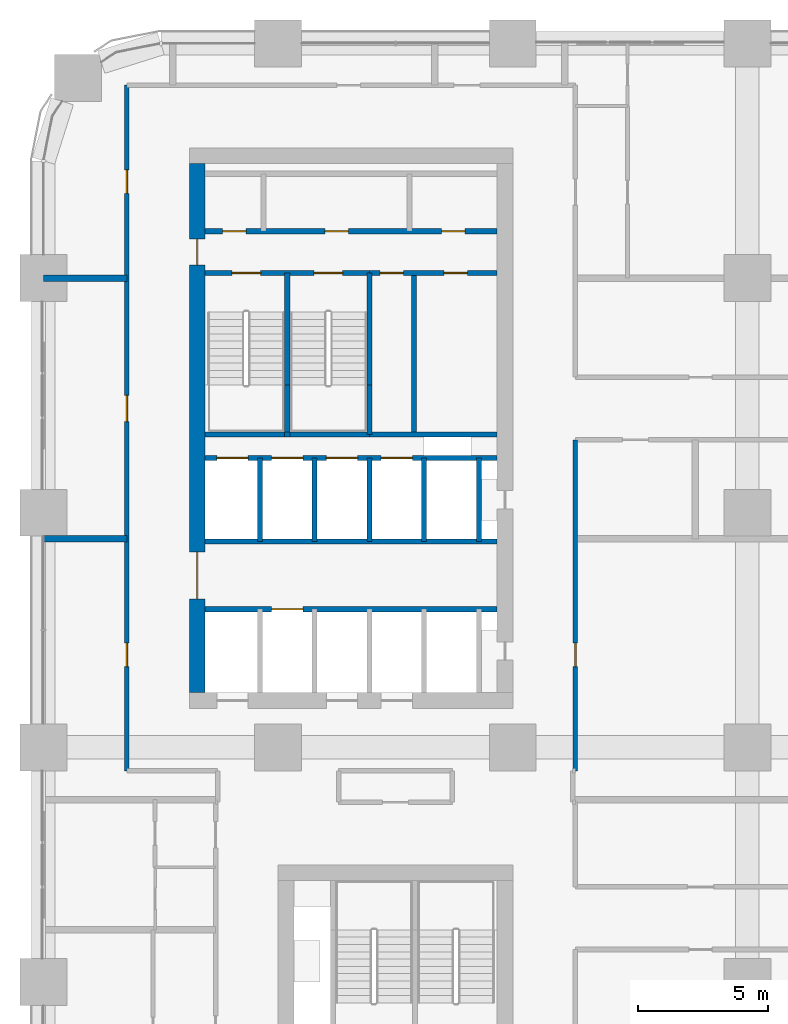
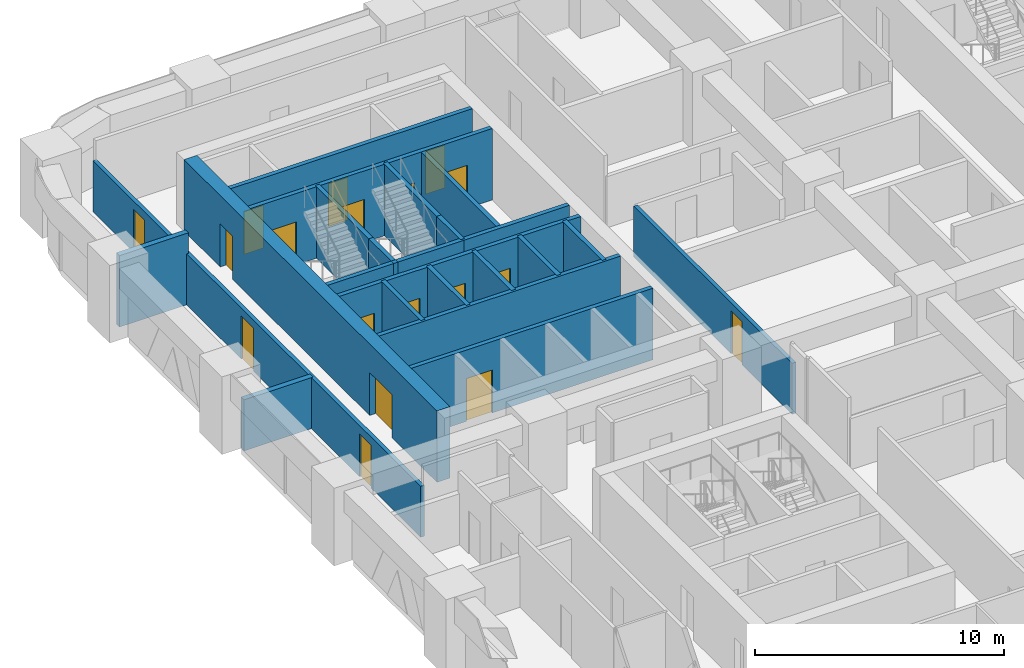
# One storey, part 16 of 21: 25 walls, 18 doors, 18 openings.
"""IFC4 building model written with IfcOpenShell, lengths in metres."""

from ifc_helpers import new_model, si_unit, direction, frame, frame_2d, origin, place, context, subcontext, project, spatial, rectangle, extrude, material, layer, layer_set, type_object, element, fill, save


model = new_model("IFC4")

# Units and contexts
model_context = context("Model", 3, precision=1e-05, world=origin(), true_north=direction((0.0, 1.0)))
body_context = subcontext(model_context, "Body", "Model", "MODEL_VIEW")
ifc_project = project(units=[si_unit("LENGTHUNIT", "METRE"), si_unit("AREAUNIT", "SQUARE_METRE"), si_unit("VOLUMEUNIT", "CUBIC_METRE"), si_unit("PLANEANGLEUNIT", "RADIAN"), si_unit("MASSUNIT", "GRAM", prefix="KILO")], contexts=[model_context])

# Site, building, storey
site_placement = place(None, origin())
site = spatial("IfcSite", under=ifc_project, at=site_placement, CompositionType="ELEMENT")
building_placement = place(site_placement, origin())
building = spatial("IfcBuilding", under=site, at=building_placement, Name="Tessera Arch", CompositionType="ELEMENT")
storey_placement = place(building_placement, frame((0.0, 0.0, 50.0)))
storey = spatial("IfcBuildingStorey", under=building, at=storey_placement, Name="L10", CompositionType="ELEMENT", Elevation=50.0)

# Wall
ifc_material_1 = material(Name="Gypsum board on steel stud", Category="steel")
ifc_layer_1 = layer(ifc_material_1, 0.125)
ifc_layer_set_1 = layer_set([ifc_layer_1], Name="Core partition 125 EI 60")
wall_type_1 = type_object("IfcWallType", Name="Core partition 125 EI 60", PredefinedType="PARTITIONING", material=ifc_layer_set_1)
wall_1_placement = place(storey_placement, frame((14.215087890625, 39.0, 0.0), z_axis=(0.0, 0.0, 1.0), x_axis=(0.0, 1.0, 0.0)))
element("IfcWall", 1, at=wall_1_placement, inside=storey, type_object=wall_type_1, Name="L10 C2 partition wall 13", PredefinedType="PARTITIONING", context=body_context, shape_type="SweptSolid", body=[
    extrude(rectangle(XDim=6.199951171875, YDim=0.199951171875, at=frame_2d((3.10009765625, 0.0))), origin(), (0.0, 0.0, 1.0), 3.5),
])

# Wall, openings, doors
wall_2_placement = place(storey_placement, frame((12.5, 45.199951171875, 0.0), z_axis=(0.0, 0.0, 1.0), x_axis=(1.0, 0.0, 0.0)))
wall_2 = element("IfcWall", 2, at=wall_2_placement, inside=storey, type_object=wall_type_1, Name="L10 C2 partition wall 25", PredefinedType="PARTITIONING", context=body_context, shape_type="SweptSolid", body=[
    extrude(rectangle(XDim=4.89990234375, YDim=0.199951171875, at=frame_2d((2.449951171875, 0.0))), origin(), (0.0, 0.0, 1.0), 3.5),
])
opening_1_placement = place(wall_2_placement, frame((0.407470703125, 0.0, 0.0)))
opening_1 = element("IfcOpeningElement", 3, at=opening_1_placement, cuts=wall_2, Name="Opening L10-C31", PredefinedType="OPENING", context=body_context, shape_type="SweptSolid", body=[
    extrude(rectangle(XDim=0.89990234375, YDim=2.10009765625, at=frame_2d((0.449951171875, 1.050048828125))), frame((0.0, 0.10986328125, 0.0), z_axis=(0.0, -1.0, 0.0), x_axis=(1.0, 0.0, 0.0)), (0.0, 0.0, 1.0), 0.219970703125),
])
opening_2_placement = place(wall_2_placement, frame((2.857421875, 0.0, 0.0)))
opening_2 = element("IfcOpeningElement", 4, at=opening_2_placement, cuts=wall_2, Name="Opening L10-C32", PredefinedType="OPENING", context=body_context, shape_type="SweptSolid", body=[
    extrude(rectangle(XDim=0.89990234375, YDim=2.10009765625, at=frame_2d((0.449951171875, 1.050048828125))), frame((0.0, 0.10986328125, 0.0), z_axis=(0.0, -1.0, 0.0), x_axis=(1.0, 0.0, 0.0)), (0.0, 0.0, 1.0), 0.219970703125),
])
ifc_material_2 = material(Name="Steel door leaf", Category="steel")
door_type_1 = type_object("IfcDoorType", Name="Store door FD30S 900 x 2100", OperationType="SINGLE_SWING_LEFT", PredefinedType="DOOR", material=ifc_material_2)
door_1_placement = place(opening_1_placement, origin())
door_1 = element("IfcDoor", 5, at=door_1_placement, inside=storey, type_object=door_type_1, Name="L10 C2 door 18 C31 type D09", OperationType="SINGLE_SWING_LEFT", OverallHeight=2.10009765625, OverallWidth=0.89990234375, PredefinedType="DOOR", context=body_context, shape_type="SweptSolid", body=[
    extrude(rectangle(XDim=0.89990234375, YDim=2.10009765625, at=frame_2d((0.449951171875, 1.050048828125))), frame((0.0, 0.02490234375, 0.0), z_axis=(0.0, -1.0, 0.0), x_axis=(1.0, 0.0, 0.0)), (0.0, 0.0, 1.0), 0.050048828125),
])
fill(opening_1, door_1)
door_2_placement = place(opening_2_placement, origin())
door_2 = element("IfcDoor", 6, at=door_2_placement, inside=storey, type_object=door_type_1, Name="L10 C2 door 19 C32 type D09", OperationType="SINGLE_SWING_RIGHT", OverallHeight=2.10009765625, OverallWidth=0.89990234375, PredefinedType="DOOR", context=body_context, shape_type="SweptSolid", body=[
    extrude(rectangle(XDim=0.89990234375, YDim=2.10009765625, at=frame_2d((0.449951171875, 1.050048828125))), frame((0.0, 0.02490234375, 0.0), z_axis=(0.0, -1.0, 0.0), x_axis=(1.0, 0.0, 0.0)), (0.0, 0.0, 1.0), 0.050048828125),
])
fill(opening_2, door_2)

wall_3_placement = place(storey_placement, frame((6.199951171875, 46.800048828125, 0.0), z_axis=(0.0, 0.0, 1.0), x_axis=(1.0, 0.0, 0.0)))
wall_3 = element("IfcWall", 7, at=wall_3_placement, inside=storey, type_object=wall_type_1, Name="L10 C2 partition wall 27", PredefinedType="PARTITIONING", context=body_context, shape_type="SweptSolid", body=[
    extrude(rectangle(XDim=11.199951171875, YDim=0.199951171875, at=frame_2d((5.60009765625, 0.0))), origin(), (0.0, 0.0, 1.0), 3.5),
])
opening_3_placement = place(wall_3_placement, frame((0.669921875, 0.0, 0.0)))
opening_3 = element("IfcOpeningElement", 8, at=opening_3_placement, cuts=wall_3, Name="Opening L10-C28", PredefinedType="OPENING", context=body_context, shape_type="SweptSolid", body=[
    extrude(rectangle(XDim=0.89990234375, YDim=2.10009765625, at=frame_2d((0.449951171875, 1.050048828125))), frame((0.0, 0.10986328125, 0.0), z_axis=(0.0, -1.0, 0.0), x_axis=(1.0, 0.0, 0.0)), (0.0, 0.0, 1.0), 0.219970703125),
])
opening_4_placement = place(wall_3_placement, frame((4.590087890625, 0.0, 0.0)))
opening_4 = element("IfcOpeningElement", 9, at=opening_4_placement, cuts=wall_3, Name="Opening L10-C29", PredefinedType="OPENING", context=body_context, shape_type="SweptSolid", body=[
    extrude(rectangle(XDim=0.89990234375, YDim=2.10009765625, at=frame_2d((0.449951171875, 1.050048828125))), frame((0.0, 0.10986328125, 0.0), z_axis=(0.0, -1.0, 0.0), x_axis=(1.0, 0.0, 0.0)), (0.0, 0.0, 1.0), 0.219970703125),
])
opening_5_placement = place(wall_3_placement, frame((9.070068359375, 0.0, 0.0)))
opening_5 = element("IfcOpeningElement", 10, at=opening_5_placement, cuts=wall_3, Name="Opening L10-C30", PredefinedType="OPENING", context=body_context, shape_type="SweptSolid", body=[
    extrude(rectangle(XDim=0.89990234375, YDim=2.10009765625, at=frame_2d((0.449951171875, 1.050048828125))), frame((0.0, 0.10986328125, 0.0), z_axis=(0.0, -1.0, 0.0), x_axis=(1.0, 0.0, 0.0)), (0.0, 0.0, 1.0), 0.219970703125),
])
door_3_placement = place(opening_3_placement, origin())
door_3 = element("IfcDoor", 11, at=door_3_placement, inside=storey, type_object=door_type_1, Name="L10 C2 door 15 C28 type D09", OperationType="SINGLE_SWING_LEFT", OverallHeight=2.10009765625, OverallWidth=0.89990234375, PredefinedType="DOOR", context=body_context, shape_type="SweptSolid", body=[
    extrude(rectangle(XDim=0.89990234375, YDim=2.10009765625, at=frame_2d((0.449951171875, 1.050048828125))), frame((0.0, 0.02490234375, 0.0), z_axis=(0.0, -1.0, 0.0), x_axis=(1.0, 0.0, 0.0)), (0.0, 0.0, 1.0), 0.050048828125),
])
fill(opening_3, door_3)
door_4_placement = place(opening_4_placement, origin())
door_4 = element("IfcDoor", 12, at=door_4_placement, inside=storey, type_object=door_type_1, Name="L10 C2 door 16 C29 type D09", OperationType="SINGLE_SWING_LEFT", OverallHeight=2.10009765625, OverallWidth=0.89990234375, PredefinedType="DOOR", context=body_context, shape_type="SweptSolid", body=[
    extrude(rectangle(XDim=0.89990234375, YDim=2.10009765625, at=frame_2d((0.449951171875, 1.050048828125))), frame((0.0, 0.02490234375, 0.0), z_axis=(0.0, -1.0, 0.0), x_axis=(1.0, 0.0, 0.0)), (0.0, 0.0, 1.0), 0.050048828125),
])
fill(opening_4, door_4)
door_5_placement = place(opening_5_placement, origin())
door_5 = element("IfcDoor", 13, at=door_5_placement, inside=storey, type_object=door_type_1, Name="L10 C2 door 17 C30 type D09", OperationType="SINGLE_SWING_RIGHT", OverallHeight=2.10009765625, OverallWidth=0.89990234375, PredefinedType="DOOR", context=body_context, shape_type="SweptSolid", body=[
    extrude(rectangle(XDim=0.89990234375, YDim=2.10009765625, at=frame_2d((0.449951171875, 1.050048828125))), frame((0.0, 0.02490234375, 0.0), z_axis=(0.0, -1.0, 0.0), x_axis=(1.0, 0.0, 0.0)), (0.0, 0.0, 1.0), 0.050048828125),
])
fill(opening_5, door_5)

ifc_material_3 = material(Name="Concrete C70/85", Category="concrete")
ifc_layer_2 = layer(ifc_material_3, 0.60009765625)
ifc_layer_set_2 = layer_set([ifc_layer_2], Name="Core shell wall 600 C70-85")
wall_type_2 = type_object("IfcWallType", Name="Core shell wall 600 C70-85", PredefinedType="SHEAR", material=ifc_layer_set_2)
wall_4_placement = place(storey_placement, frame((5.89990234375, 29.10009765625, 0.0), z_axis=(0.0, 0.0, 1.0), x_axis=(0.0, 1.0, 0.0)))
wall_4 = element("IfcWall", 14, at=wall_4_placement, inside=storey, type_object=wall_type_2, Name="L10 C2 core wall W", PredefinedType="SHEAR", context=body_context, shape_type="SweptSolid", body=[
    extrude(rectangle(XDim=20.2998046875, YDim=0.60009765625, at=frame_2d((10.14990234375, 0.0))), origin(), (0.0, 0.0, 1.0), 3.5),
])
opening_6_placement = place(wall_4_placement, frame((3.60009765625, 0.0, 0.0)))
opening_6 = element("IfcOpeningElement", 15, at=opening_6_placement, cuts=wall_4, Name="Opening L10-C24", PredefinedType="OPENING", context=body_context, shape_type="SweptSolid", body=[
    extrude(rectangle(XDim=1.800048828125, YDim=2.10009765625, at=frame_2d((0.89990234375, 1.050048828125))), frame((0.0, 0.31005859375, 0.0), z_axis=(0.0, -1.0, 0.0), x_axis=(1.0, 0.0, 0.0)), (0.0, 0.0, 1.0), 0.6201171875),
])
opening_7_placement = place(wall_4_placement, frame((16.39990234375, 0.0, 0.0)))
opening_7 = element("IfcOpeningElement", 16, at=opening_7_placement, cuts=wall_4, Name="Opening L10-C27", PredefinedType="OPENING", context=body_context, shape_type="SweptSolid", body=[
    extrude(rectangle(XDim=1.0, YDim=2.10009765625, at=frame_2d((0.5, 1.050048828125))), frame((0.0, 0.31005859375, 0.0), z_axis=(0.0, -1.0, 0.0), x_axis=(1.0, 0.0, 0.0)), (0.0, 0.0, 1.0), 0.6201171875),
])
ifc_material_4 = material(Name="Steel door leaf", Category="steel")
door_type_2 = type_object("IfcDoorType", Name="Corridor door FD60 1000 x 2100", OperationType="SINGLE_SWING_LEFT", PredefinedType="DOOR", material=ifc_material_4)
door_6_placement = place(opening_7_placement, origin())
door_6 = element("IfcDoor", 17, at=door_6_placement, inside=storey, type_object=door_type_2, Name="L10 C2 door 14 C27 type D12", OperationType="SINGLE_SWING_RIGHT", OverallHeight=2.10009765625, OverallWidth=1.0, PredefinedType="DOOR", context=body_context, shape_type="SweptSolid", body=[
    extrude(rectangle(XDim=1.0, YDim=2.10009765625, at=frame_2d((0.5, 1.050048828125))), frame((0.0, 0.02490234375, 0.0), z_axis=(0.0, -1.0, 0.0), x_axis=(1.0, 0.0, 0.0)), (0.0, 0.0, 1.0), 0.050048828125),
])
fill(opening_7, door_6)
ifc_material_5 = material(Name="Glazed steel door leaf", Category="steel")
door_type_3 = type_object("IfcDoorType", Name="Lobby double door FD30S 1800 x 2100", OperationType="DOUBLE_DOOR_SINGLE_SWING", PredefinedType="DOOR", material=ifc_material_5)
door_7_placement = place(opening_6_placement, origin())
door_7 = element("IfcDoor", 18, at=door_7_placement, inside=storey, type_object=door_type_3, Name="L10 C2 door 11 C24 type D06", OperationType="DOUBLE_DOOR_SINGLE_SWING", OverallHeight=2.10009765625, OverallWidth=1.800048828125, PredefinedType="DOOR", context=body_context, shape_type="SweptSolid", body=[
    extrude(rectangle(XDim=1.800048828125, YDim=2.10009765625, at=frame_2d((0.89990234375, 1.050048828125))), frame((0.0, 0.02490234375, 0.0), z_axis=(0.0, -1.0, 0.0), x_axis=(1.0, 0.0, 0.0)), (0.0, 0.0, 1.0), 0.050048828125),
])
fill(opening_6, door_7)

ifc_material_6 = material(Name="Gypsum board on deep steel stud with mineral wool", Category="steel")
ifc_layer_3 = layer(ifc_material_6, 0.175048828125)
ifc_layer_set_3 = layer_set([ifc_layer_3], Name="Corridor wall 175 EI 60")
wall_type_3 = type_object("IfcWallType", Name="Corridor wall 175 EI 60", PredefinedType="PARTITIONING", material=ifc_layer_set_3)
wall_5_placement = place(storey_placement, frame((3.199951171875, 26.10009765625, 0.0), z_axis=(0.0, 0.0, 1.0), x_axis=(0.0, 1.0, 0.0)))
wall_5 = element("IfcWall", 19, at=wall_5_placement, inside=storey, type_object=wall_type_3, Name="L10 partition 21", PredefinedType="PARTITIONING", context=body_context, shape_type="SweptSolid", body=[
    extrude(rectangle(XDim=26.2998046875, YDim=0.175048828125, at=frame_2d((13.14990234375, 0.0))), origin(), (0.0, 0.0, 1.0), 2.5),
])
opening_8_placement = place(wall_5_placement, frame((4.0, 0.0, 0.0)))
opening_8 = element("IfcOpeningElement", 20, at=opening_8_placement, cuts=wall_5, Name="Opening L10-D025", PredefinedType="OPENING", context=body_context, shape_type="SweptSolid", body=[
    extrude(rectangle(XDim=0.89990234375, YDim=2.10009765625, at=frame_2d((0.449951171875, 1.050048828125))), frame((0.0, 0.097412109375, 0.0), z_axis=(0.0, -1.0, 0.0), x_axis=(1.0, 0.0, 0.0)), (0.0, 0.0, 1.0), 0.195068359375),
])
opening_9_placement = place(wall_5_placement, frame((13.39990234375, 0.0, 0.0)))
opening_9 = element("IfcOpeningElement", 21, at=opening_9_placement, cuts=wall_5, Name="Opening L10-D031", PredefinedType="OPENING", context=body_context, shape_type="SweptSolid", body=[
    extrude(rectangle(XDim=1.0, YDim=2.10009765625, at=frame_2d((0.5, 1.050048828125))), frame((0.0, 0.097412109375, 0.0), z_axis=(0.0, -1.0, 0.0), x_axis=(1.0, 0.0, 0.0)), (0.0, 0.0, 1.0), 0.195068359375),
])
opening_10_placement = place(wall_5_placement, frame((22.14990234375, 0.0, 0.0)))
opening_10 = element("IfcOpeningElement", 22, at=opening_10_placement, cuts=wall_5, Name="Opening L10-D035", PredefinedType="OPENING", context=body_context, shape_type="SweptSolid", body=[
    extrude(rectangle(XDim=0.89990234375, YDim=2.10009765625, at=frame_2d((0.449951171875, 1.050048828125))), frame((0.0, 0.097412109375, 0.0), z_axis=(0.0, -1.0, 0.0), x_axis=(1.0, 0.0, 0.0)), (0.0, 0.0, 1.0), 0.195068359375),
])
ifc_material_7 = material(Name="Fire-rated door leaf")
door_type_4 = type_object("IfcDoorType", Name="Entrance door FD30S 1000 x 2100", OperationType="SINGLE_SWING_LEFT", PredefinedType="DOOR", material=ifc_material_7)
door_8_placement = place(opening_9_placement, origin())
door_8 = element("IfcDoor", 23, at=door_8_placement, inside=storey, type_object=door_type_4, Name="L10 door D031 type D03", OperationType="SINGLE_SWING_LEFT", OverallHeight=2.10009765625, OverallWidth=1.0, PredefinedType="DOOR", context=body_context, shape_type="SweptSolid", body=[
    extrude(rectangle(XDim=1.0, YDim=2.10009765625, at=frame_2d((0.5, 1.050048828125))), frame((0.0, 0.02490234375, 0.0), z_axis=(0.0, -1.0, 0.0), x_axis=(1.0, 0.0, 0.0)), (0.0, 0.0, 1.0), 0.050048828125),
])
fill(opening_9, door_8)
ifc_material_8 = material(Name="Timber door leaf", Category="wood")
door_type_5 = type_object("IfcDoorType", Name="Room door 900 x 2100", OperationType="SINGLE_SWING_LEFT", PredefinedType="DOOR", material=ifc_material_8)
door_9_placement = place(opening_8_placement, origin())
door_9 = element("IfcDoor", 24, at=door_9_placement, inside=storey, type_object=door_type_5, Name="L10 door D025 type D01", OperationType="SINGLE_SWING_LEFT", OverallHeight=2.10009765625, OverallWidth=0.89990234375, PredefinedType="DOOR", context=body_context, shape_type="SweptSolid", body=[
    extrude(rectangle(XDim=0.89990234375, YDim=2.10009765625, at=frame_2d((0.449951171875, 1.050048828125))), frame((0.0, 0.02490234375, 0.0), z_axis=(0.0, -1.0, 0.0), x_axis=(1.0, 0.0, 0.0)), (0.0, 0.0, 1.0), 0.050048828125),
])
fill(opening_8, door_9)
door_10_placement = place(opening_10_placement, origin())
door_10 = element("IfcDoor", 25, at=door_10_placement, inside=storey, type_object=door_type_5, Name="L10 door D035 type D01", OperationType="SINGLE_SWING_LEFT", OverallHeight=2.10009765625, OverallWidth=0.89990234375, PredefinedType="DOOR", context=body_context, shape_type="SweptSolid", body=[
    extrude(rectangle(XDim=0.89990234375, YDim=2.10009765625, at=frame_2d((0.449951171875, 1.050048828125))), frame((0.0, 0.02490234375, 0.0), z_axis=(0.0, -1.0, 0.0), x_axis=(1.0, 0.0, 0.0)), (0.0, 0.0, 1.0), 0.050048828125),
])
fill(opening_10, door_10)

# Wall, opening, door
wall_6_placement = place(storey_placement, frame((20.39990234375, 26.10009765625, 0.0), z_axis=(0.0, 0.0, 1.0), x_axis=(0.0, 1.0, 0.0)))
wall_6 = element("IfcWall", 26, at=wall_6_placement, inside=storey, type_object=wall_type_3, Name="L10 partition 29", PredefinedType="PARTITIONING", context=body_context, shape_type="SweptSolid", body=[
    extrude(rectangle(XDim=12.699951171875, YDim=0.175048828125, at=frame_2d((6.35009765625, 0.0))), origin(), (0.0, 0.0, 1.0), 2.5),
])
opening_11_placement = place(wall_6_placement, frame((4.0, 0.0, 0.0)))
opening_11 = element("IfcOpeningElement", 27, at=opening_11_placement, cuts=wall_6, Name="Opening L10-D026", PredefinedType="OPENING", context=body_context, shape_type="SweptSolid", body=[
    extrude(rectangle(XDim=0.89990234375, YDim=2.10009765625, at=frame_2d((0.449951171875, 1.050048828125))), frame((0.0, 0.097412109375, 0.0), z_axis=(0.0, -1.0, 0.0), x_axis=(1.0, 0.0, 0.0)), (0.0, 0.0, 1.0), 0.195068359375),
])
door_11_placement = place(opening_11_placement, origin())
door_11 = element("IfcDoor", 28, at=door_11_placement, inside=storey, type_object=door_type_5, Name="L10 door D026 type D01", OperationType="SINGLE_SWING_LEFT", OverallHeight=2.10009765625, OverallWidth=0.89990234375, PredefinedType="DOOR", context=body_context, shape_type="SweptSolid", body=[
    extrude(rectangle(XDim=0.89990234375, YDim=2.10009765625, at=frame_2d((0.449951171875, 1.050048828125))), frame((0.0, 0.02490234375, 0.0), z_axis=(0.0, -1.0, 0.0), x_axis=(1.0, 0.0, 0.0)), (0.0, 0.0, 1.0), 0.050048828125),
])
fill(opening_11, door_11)

# Walls
ifc_material_9 = material(Name="Double gypsum board on twin steel stud with acoustic mineral wool", Category="steel")
ifc_layer_4 = layer(ifc_material_9, 0.25)
ifc_layer_set_4 = layer_set([ifc_layer_4], Name="Party wall 250 EI 60")
wall_type_4 = type_object("IfcWallType", Name="Party wall 250 EI 60", PredefinedType="PARTITIONING", material=ifc_layer_set_4)
wall_7_placement = place(storey_placement, frame((0.0, 35.0, 0.0), z_axis=(0.0, 0.0, 1.0), x_axis=(1.0, 0.0, 0.0)))
element("IfcWall", 29, at=wall_7_placement, inside=storey, type_object=wall_type_4, Name="L10 partition 57", PredefinedType="PARTITIONING", context=body_context, shape_type="SweptSolid", body=[
    extrude(rectangle(XDim=3.199951171875, YDim=0.25, at=frame_2d((1.60009765625, 0.0))), origin(), (0.0, 0.0, 1.0), 2.5),
])
wall_8_placement = place(storey_placement, frame((0.0, 45.0, 0.0), z_axis=(0.0, 0.0, 1.0), x_axis=(1.0, 0.0, 0.0)))
element("IfcWall", 30, at=wall_8_placement, inside=storey, type_object=wall_type_4, Name="L10 partition 60", PredefinedType="PARTITIONING", context=body_context, shape_type="SweptSolid", body=[
    extrude(rectangle(XDim=3.199951171875, YDim=0.25, at=frame_2d((1.60009765625, 0.0))), origin(), (0.0, 0.0, 1.0), 3.5),
])
ifc_material_10 = material(Name="Concrete C40/50", Category="concrete")
ifc_layer_5 = layer(ifc_material_10, 0.199951171875)
ifc_layer_set_5 = layer_set([ifc_layer_5], Name="Shaft wall 200 EI 120")
wall_type_5 = type_object("IfcWallType", Name="Shaft wall 200 EI 120", PredefinedType="SOLIDWALL", material=ifc_layer_set_5)
for number, where, z_axis, x_axis, name in (
    (31, (8.300048828125, 34.89990234375, 0.0), (0.0, 0.0, 1.0), (0.0, 1.0, 0.0), "L10 C2 shaft wall 2"),
    (32, (10.39990234375, 34.89990234375, 0.0), (0.0, 0.0, 1.0), (0.0, 1.0, 0.0), "L10 C2 shaft wall 7"),
    (33, (12.5, 34.89990234375, 0.0), (0.0, 0.0, 1.0), (0.0, 1.0, 0.0), "L10 C2 shaft wall 9"),
    (34, (14.60009765625, 34.89990234375, 0.0), (0.0, 0.0, 1.0), (0.0, 1.0, 0.0), "L10 C2 shaft wall 15"),
    (35, (16.699951171875, 34.89990234375, 0.0), (0.0, 0.0, 1.0), (0.0, 1.0, 0.0), "L10 C2 shaft wall 17"),
):
    element("IfcWall", number, at=place(storey_placement, frame(where, z_axis=z_axis, x_axis=x_axis)), inside=storey, type_object=wall_type_5, Name=name, PredefinedType="SOLIDWALL", context=body_context, shape_type="SweptSolid", body=[
        extrude(rectangle(XDim=3.2001953125, YDim=0.199951171875, at=frame_2d((1.60009765625, 0.0))), origin(), (0.0, 0.0, 1.0), 3.5),
    ])

# Wall, opening, door
wall_9_placement = place(storey_placement, frame((6.199951171875, 32.300048828125, 0.0), z_axis=(0.0, 0.0, 1.0), x_axis=(1.0, 0.0, 0.0)))
wall_9 = element("IfcWall", 36, at=wall_9_placement, inside=storey, type_object=wall_type_5, Name="L10 C2 shaft wall 18", PredefinedType="SOLIDWALL", context=body_context, shape_type="SweptSolid", body=[
    extrude(rectangle(XDim=11.199951171875, YDim=0.199951171875, at=frame_2d((5.60009765625, 0.0))), origin(), (0.0, 0.0, 1.0), 3.5),
])
opening_12_placement = place(wall_9_placement, frame((2.550048828125, 0.0, 0.0)))
opening_12 = element("IfcOpeningElement", 37, at=opening_12_placement, cuts=wall_9, Name="Opening L10-C15", PredefinedType="OPENING", context=body_context, shape_type="SweptSolid", body=[
    extrude(rectangle(XDim=1.199951171875, YDim=2.10009765625, at=frame_2d((0.60009765625, 1.050048828125))), frame((0.0, 0.10986328125, 0.0), z_axis=(0.0, -1.0, 0.0), x_axis=(1.0, 0.0, 0.0)), (0.0, 0.0, 1.0), 0.219970703125),
])
ifc_material_11 = material(Name="Stainless steel AISI 304", Category="steel")
door_type_6 = type_object("IfcDoorType", Name="Sliding landing door 1200 x 2100", OperationType="SLIDING_TO_LEFT", PredefinedType="DOOR", material=ifc_material_11)
door_12_placement = place(opening_12_placement, origin())
door_12 = element("IfcDoor", 38, at=door_12_placement, inside=storey, type_object=door_type_6, Name="L10 LR2 lift landing door C15 type LD", OperationType="SLIDING_TO_LEFT", OverallHeight=2.10009765625, OverallWidth=1.199951171875, PredefinedType="DOOR", context=body_context, shape_type="SweptSolid", body=[
    extrude(rectangle(XDim=1.199951171875, YDim=2.10009765625, at=frame_2d((0.60009765625, 1.050048828125))), frame((0.0, 0.02490234375, 0.0), z_axis=(0.0, -1.0, 0.0), x_axis=(1.0, 0.0, 0.0)), (0.0, 0.0, 1.0), 0.050048828125),
])
fill(opening_12, door_12)

# Wall
wall_10_placement = place(storey_placement, frame((6.199951171875, 34.89990234375, 0.0), z_axis=(0.0, 0.0, 1.0), x_axis=(1.0, 0.0, 0.0)))
element("IfcWall", 39, at=wall_10_placement, inside=storey, type_object=wall_type_5, Name="L10 C2 shaft wall 19", PredefinedType="SOLIDWALL", context=body_context, shape_type="SweptSolid", body=[
    extrude(rectangle(XDim=11.199951171875, YDim=0.199951171875, at=frame_2d((5.60009765625, 0.0))), origin(), (0.0, 0.0, 1.0), 3.5),
])

# Wall, openings, doors
wall_11_placement = place(storey_placement, frame((6.199951171875, 38.10009765625, 0.0), z_axis=(0.0, 0.0, 1.0), x_axis=(1.0, 0.0, 0.0)))
wall_11 = element("IfcWall", 40, at=wall_11_placement, inside=storey, type_object=wall_type_5, Name="L10 C2 shaft wall 20", PredefinedType="SOLIDWALL", context=body_context, shape_type="SweptSolid", body=[
    extrude(rectangle(XDim=11.199951171875, YDim=0.199951171875, at=frame_2d((5.60009765625, 0.0))), origin(), (0.0, 0.0, 1.0), 3.5),
])
opening_13_placement = place(wall_11_placement, frame((0.449951171875, 0.0, 0.0)))
opening_13 = element("IfcOpeningElement", 41, at=opening_13_placement, cuts=wall_11, Name="Opening L10-C18", PredefinedType="OPENING", context=body_context, shape_type="SweptSolid", body=[
    extrude(rectangle(XDim=1.199951171875, YDim=2.10009765625, at=frame_2d((0.60009765625, 1.050048828125))), frame((0.0, 0.10986328125, 0.0), z_axis=(0.0, -1.0, 0.0), x_axis=(1.0, 0.0, 0.0)), (0.0, 0.0, 1.0), 0.219970703125),
])
opening_14_placement = place(wall_11_placement, frame((2.550048828125, 0.0, 0.0)))
opening_14 = element("IfcOpeningElement", 42, at=opening_14_placement, cuts=wall_11, Name="Opening L10-C19", PredefinedType="OPENING", context=body_context, shape_type="SweptSolid", body=[
    extrude(rectangle(XDim=1.199951171875, YDim=2.10009765625, at=frame_2d((0.60009765625, 1.050048828125))), frame((0.0, 0.10986328125, 0.0), z_axis=(0.0, -1.0, 0.0), x_axis=(1.0, 0.0, 0.0)), (0.0, 0.0, 1.0), 0.219970703125),
])
opening_15_placement = place(wall_11_placement, frame((4.64990234375, 0.0, 0.0)))
opening_15 = element("IfcOpeningElement", 43, at=opening_15_placement, cuts=wall_11, Name="Opening L10-C20", PredefinedType="OPENING", context=body_context, shape_type="SweptSolid", body=[
    extrude(rectangle(XDim=1.199951171875, YDim=2.10009765625, at=frame_2d((0.60009765625, 1.050048828125))), frame((0.0, 0.10986328125, 0.0), z_axis=(0.0, -1.0, 0.0), x_axis=(1.0, 0.0, 0.0)), (0.0, 0.0, 1.0), 0.219970703125),
])
opening_16_placement = place(wall_11_placement, frame((6.75, 0.0, 0.0)))
opening_16 = element("IfcOpeningElement", 44, at=opening_16_placement, cuts=wall_11, Name="Opening L10-C21", PredefinedType="OPENING", context=body_context, shape_type="SweptSolid", body=[
    extrude(rectangle(XDim=1.199951171875, YDim=2.10009765625, at=frame_2d((0.60009765625, 1.050048828125))), frame((0.0, 0.10986328125, 0.0), z_axis=(0.0, -1.0, 0.0), x_axis=(1.0, 0.0, 0.0)), (0.0, 0.0, 1.0), 0.219970703125),
])
door_13_placement = place(opening_13_placement, origin())
door_13 = element("IfcDoor", 45, at=door_13_placement, inside=storey, type_object=door_type_6, Name="L10 LR5 lift landing door C18 type LD", OperationType="SLIDING_TO_LEFT", OverallHeight=2.10009765625, OverallWidth=1.199951171875, PredefinedType="DOOR", context=body_context, shape_type="SweptSolid", body=[
    extrude(rectangle(XDim=1.199951171875, YDim=2.10009765625, at=frame_2d((0.60009765625, 1.050048828125))), frame((0.0, 0.02490234375, 0.0), z_axis=(0.0, -1.0, 0.0), x_axis=(1.0, 0.0, 0.0)), (0.0, 0.0, 1.0), 0.050048828125),
])
fill(opening_13, door_13)
door_14_placement = place(opening_14_placement, origin())
door_14 = element("IfcDoor", 46, at=door_14_placement, inside=storey, type_object=door_type_6, Name="L10 LR6 lift landing door C19 type LD", OperationType="SLIDING_TO_LEFT", OverallHeight=2.10009765625, OverallWidth=1.199951171875, PredefinedType="DOOR", context=body_context, shape_type="SweptSolid", body=[
    extrude(rectangle(XDim=1.199951171875, YDim=2.10009765625, at=frame_2d((0.60009765625, 1.050048828125))), frame((0.0, 0.02490234375, 0.0), z_axis=(0.0, -1.0, 0.0), x_axis=(1.0, 0.0, 0.0)), (0.0, 0.0, 1.0), 0.050048828125),
])
fill(opening_14, door_14)
door_15_placement = place(opening_15_placement, origin())
door_15 = element("IfcDoor", 47, at=door_15_placement, inside=storey, type_object=door_type_6, Name="L10 LR7 lift landing door C20 type LD", OperationType="SLIDING_TO_LEFT", OverallHeight=2.10009765625, OverallWidth=1.199951171875, PredefinedType="DOOR", context=body_context, shape_type="SweptSolid", body=[
    extrude(rectangle(XDim=1.199951171875, YDim=2.10009765625, at=frame_2d((0.60009765625, 1.050048828125))), frame((0.0, 0.02490234375, 0.0), z_axis=(0.0, -1.0, 0.0), x_axis=(1.0, 0.0, 0.0)), (0.0, 0.0, 1.0), 0.050048828125),
])
fill(opening_15, door_15)
door_16_placement = place(opening_16_placement, origin())
door_16 = element("IfcDoor", 48, at=door_16_placement, inside=storey, type_object=door_type_6, Name="L10 LR8 lift landing door C21 type LD", OperationType="SLIDING_TO_LEFT", OverallHeight=2.10009765625, OverallWidth=1.199951171875, PredefinedType="DOOR", context=body_context, shape_type="SweptSolid", body=[
    extrude(rectangle(XDim=1.199951171875, YDim=2.10009765625, at=frame_2d((0.60009765625, 1.050048828125))), frame((0.0, 0.02490234375, 0.0), z_axis=(0.0, -1.0, 0.0), x_axis=(1.0, 0.0, 0.0)), (0.0, 0.0, 1.0), 0.050048828125),
])
fill(opening_16, door_16)

# Walls
wall_12_placement = place(storey_placement, frame((12.5, 39.0, 0.0), z_axis=(0.0, 0.0, 1.0), x_axis=(1.0, 0.0, 0.0)))
element("IfcWall", 49, at=wall_12_placement, inside=storey, type_object=wall_type_5, Name="L10 C2 shaft wall 21", PredefinedType="SOLIDWALL", context=body_context, shape_type="SweptSolid", body=[
    extrude(rectangle(XDim=4.89990234375, YDim=0.199951171875, at=frame_2d((2.449951171875, 0.0))), origin(), (0.0, 0.0, 1.0), 3.5),
])
ifc_material_12 = material(Name="Concrete C40/50", Category="concrete")
ifc_layer_6 = layer(ifc_material_12, 0.199951171875)
ifc_layer_set_6 = layer_set([ifc_layer_6], Name="Stair well wall 200 REI 180")
wall_type_6 = type_object("IfcWallType", Name="Stair well wall 200 REI 180", PredefinedType="SOLIDWALL", material=ifc_layer_set_6)
wall_13_placement = place(storey_placement, frame((9.35009765625, 39.0, 0.0), z_axis=(0.0, 0.0, 1.0), x_axis=(0.0, 1.0, 0.0)))
element("IfcWall", 50, at=wall_13_placement, inside=storey, type_object=wall_type_6, Name="L10 C2 shaft wall 4", PredefinedType="SOLIDWALL", context=body_context, shape_type="SweptSolid", body=[
    extrude(rectangle(XDim=1.89990234375, YDim=0.199951171875, at=frame_2d((0.949951171875, 0.0))), origin(), (0.0, 0.0, 1.0), 3.5),
])
wall_14_placement = place(storey_placement, frame((9.35009765625, 40.89990234375, 0.0), z_axis=(0.0, 0.0, 1.0), x_axis=(0.0, 1.0, 0.0)))
element("IfcWall", 51, at=wall_14_placement, inside=storey, type_object=wall_type_6, Name="L10 C2 shaft wall 5", PredefinedType="SOLIDWALL", context=body_context, shape_type="SweptSolid", body=[
    extrude(rectangle(XDim=4.300048828125, YDim=0.199951171875, at=frame_2d((2.14990234375, 0.0))), origin(), (0.0, 0.0, 1.0), 3.5),
])
wall_15_placement = place(storey_placement, frame((12.5, 39.0, 0.0), z_axis=(0.0, 0.0, 1.0), x_axis=(0.0, 1.0, 0.0)))
element("IfcWall", 52, at=wall_15_placement, inside=storey, type_object=wall_type_6, Name="L10 C2 shaft wall 10", PredefinedType="SOLIDWALL", context=body_context, shape_type="SweptSolid", body=[
    extrude(rectangle(XDim=1.89990234375, YDim=0.199951171875, at=frame_2d((0.949951171875, 0.0))), origin(), (0.0, 0.0, 1.0), 3.5),
])
wall_16_placement = place(storey_placement, frame((12.5, 40.89990234375, 0.0), z_axis=(0.0, 0.0, 1.0), x_axis=(0.0, 1.0, 0.0)))
element("IfcWall", 53, at=wall_16_placement, inside=storey, type_object=wall_type_6, Name="L10 C2 shaft wall 11", PredefinedType="SOLIDWALL", context=body_context, shape_type="SweptSolid", body=[
    extrude(rectangle(XDim=4.300048828125, YDim=0.199951171875, at=frame_2d((2.14990234375, 0.0))), origin(), (0.0, 0.0, 1.0), 3.5),
])
wall_17_placement = place(storey_placement, frame((6.199951171875, 39.0, 0.0), z_axis=(0.0, 0.0, 1.0), x_axis=(1.0, 0.0, 0.0)))
element("IfcWall", 54, at=wall_17_placement, inside=storey, type_object=wall_type_6, Name="L10 C2 shaft wall 22", PredefinedType="SOLIDWALL", context=body_context, shape_type="SweptSolid", body=[
    extrude(rectangle(XDim=3.050048828125, YDim=0.199951171875, at=frame_2d((1.52490234375, 0.0))), origin(), (0.0, 0.0, 1.0), 3.5),
])
wall_18_placement = place(storey_placement, frame((9.25, 39.0, 0.0), z_axis=(0.0, 0.0, 1.0), x_axis=(1.0, 0.0, 0.0)))
element("IfcWall", 55, at=wall_18_placement, inside=storey, type_object=wall_type_6, Name="L10 C2 shaft wall 23", PredefinedType="SOLIDWALL", context=body_context, shape_type="SweptSolid", body=[
    extrude(rectangle(XDim=0.199951171875, YDim=0.199951171875, at=frame_2d((0.10009765625, 0.0))), origin(), (0.0, 0.0, 1.0), 3.5),
])
wall_19_placement = place(storey_placement, frame((9.449951171875, 39.0, 0.0), z_axis=(0.0, 0.0, 1.0), x_axis=(1.0, 0.0, 0.0)))
element("IfcWall", 56, at=wall_19_placement, inside=storey, type_object=wall_type_6, Name="L10 C2 shaft wall 24", PredefinedType="SOLIDWALL", context=body_context, shape_type="SweptSolid", body=[
    extrude(rectangle(XDim=3.050048828125, YDim=0.199951171875, at=frame_2d((1.52490234375, 0.0))), origin(), (0.0, 0.0, 1.0), 3.5),
])

# Wall, openings, doors
wall_20_placement = place(storey_placement, frame((6.199951171875, 45.199951171875, 0.0), z_axis=(0.0, 0.0, 1.0), x_axis=(1.0, 0.0, 0.0)))
wall_20 = element("IfcWall", 57, at=wall_20_placement, inside=storey, type_object=wall_type_6, Name="L10 C2 shaft wall 26", PredefinedType="SOLIDWALL", context=body_context, shape_type="SweptSolid", body=[
    extrude(rectangle(XDim=6.300048828125, YDim=0.199951171875, at=frame_2d((3.14990234375, 0.0))), origin(), (0.0, 0.0, 1.0), 3.5),
])
opening_17_placement = place(wall_20_placement, frame((1.02490234375, 0.0, 0.0)))
opening_17 = element("IfcOpeningElement", 58, at=opening_17_placement, cuts=wall_20, Name="Opening L10-C25", PredefinedType="OPENING", context=body_context, shape_type="SweptSolid", body=[
    extrude(rectangle(XDim=1.10009765625, YDim=2.10009765625, at=frame_2d((0.550048828125, 1.050048828125))), frame((0.0, 0.10986328125, 0.0), z_axis=(0.0, -1.0, 0.0), x_axis=(1.0, 0.0, 0.0)), (0.0, 0.0, 1.0), 0.219970703125),
])
opening_18_placement = place(wall_20_placement, frame((4.175048828125, 0.0, 0.0)))
opening_18 = element("IfcOpeningElement", 59, at=opening_18_placement, cuts=wall_20, Name="Opening L10-C26", PredefinedType="OPENING", context=body_context, shape_type="SweptSolid", body=[
    extrude(rectangle(XDim=1.10009765625, YDim=2.10009765625, at=frame_2d((0.550048828125, 1.050048828125))), frame((0.0, 0.10986328125, 0.0), z_axis=(0.0, -1.0, 0.0), x_axis=(1.0, 0.0, 0.0)), (0.0, 0.0, 1.0), 0.219970703125),
])
ifc_material_13 = material(Name="Steel door leaf", Category="steel")
door_type_7 = type_object("IfcDoorType", Name="Stair door FD60 1100 x 2100", OperationType="SINGLE_SWING_LEFT", PredefinedType="DOOR", material=ifc_material_13)
door_17_placement = place(opening_17_placement, origin())
door_17 = element("IfcDoor", 60, at=door_17_placement, inside=storey, type_object=door_type_7, Name="L10 C2 door 12 C25 type D05", OperationType="SINGLE_SWING_LEFT", OverallHeight=2.10009765625, OverallWidth=1.10009765625, PredefinedType="DOOR", context=body_context, shape_type="SweptSolid", body=[
    extrude(rectangle(XDim=1.10009765625, YDim=2.10009765625, at=frame_2d((0.550048828125, 1.050048828125))), frame((0.0, 0.02490234375, 0.0), z_axis=(0.0, -1.0, 0.0), x_axis=(1.0, 0.0, 0.0)), (0.0, 0.0, 1.0), 0.050048828125),
])
fill(opening_17, door_17)
door_18_placement = place(opening_18_placement, origin())
door_18 = element("IfcDoor", 61, at=door_18_placement, inside=storey, type_object=door_type_7, Name="L10 C2 door 13 C26 type D05", OperationType="SINGLE_SWING_RIGHT", OverallHeight=2.10009765625, OverallWidth=1.10009765625, PredefinedType="DOOR", context=body_context, shape_type="SweptSolid", body=[
    extrude(rectangle(XDim=1.10009765625, YDim=2.10009765625, at=frame_2d((0.550048828125, 1.050048828125))), frame((0.0, 0.02490234375, 0.0), z_axis=(0.0, -1.0, 0.0), x_axis=(1.0, 0.0, 0.0)), (0.0, 0.0, 1.0), 0.050048828125),
])
fill(opening_18, door_18)

save(model, "model.ifc")
